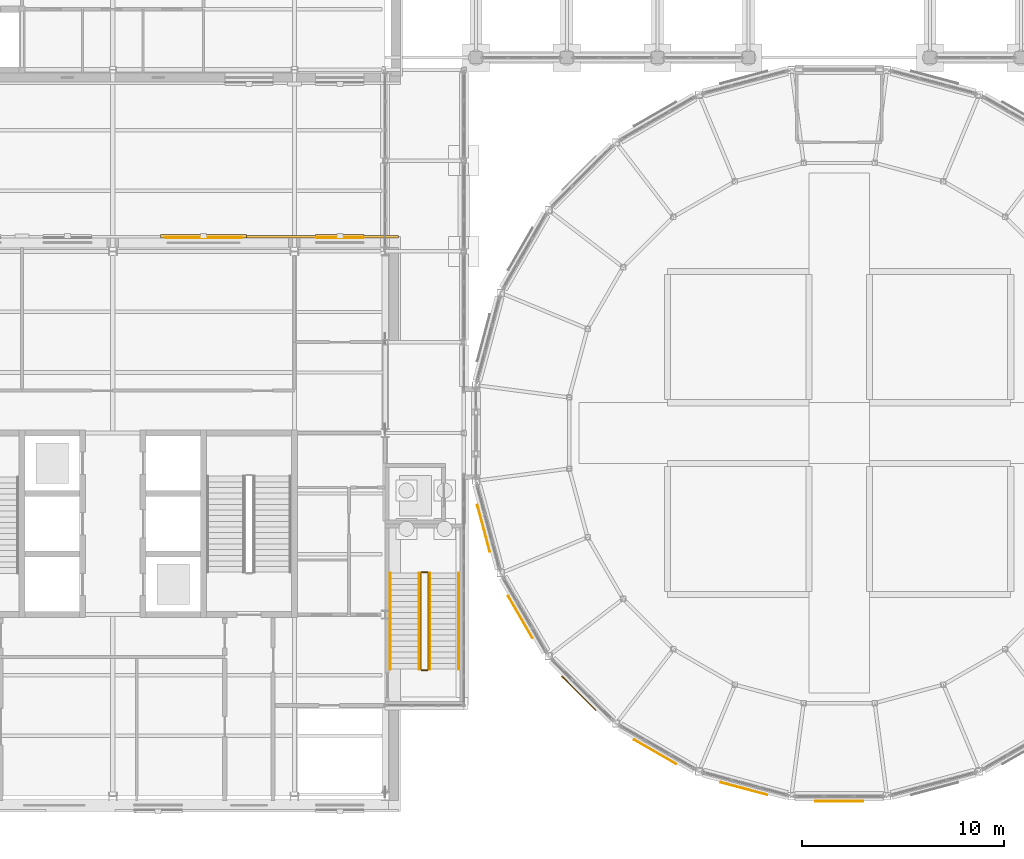
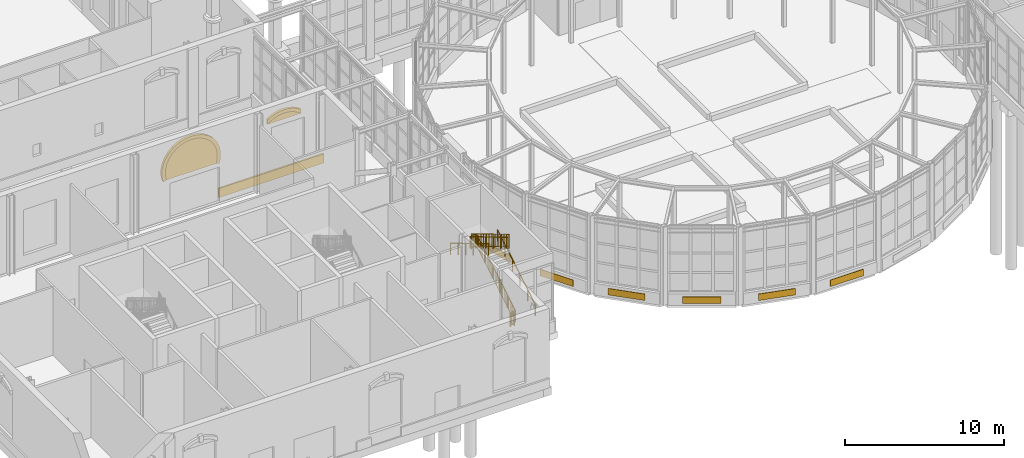
# One storey, part 92 of 106: 11 coverings, 8 railings.
"""IFC4 building model written with IfcOpenShell, lengths in metres."""

from ifc_helpers import new_model, si_unit, direction, frame, origin, origin_2d, place, context, subcontext, project, spatial, polyline, rectangle, circle, outline, extrude, material, layer, layer_set, type_object, element, save


model = new_model("IFC4")

# Units and contexts
model_context = context("Model", 3, precision=1e-05, world=origin(), true_north=direction((0.0, 1.0)))
body_context = subcontext(model_context, "Body", "Model", "MODEL_VIEW")
ifc_project = project(units=[si_unit("LENGTHUNIT", "METRE"), si_unit("AREAUNIT", "SQUARE_METRE"), si_unit("VOLUMEUNIT", "CUBIC_METRE"), si_unit("PLANEANGLEUNIT", "RADIAN"), si_unit("MASSUNIT", "GRAM", prefix="KILO")], contexts=[model_context])

# Site, building, storey
site_placement = place(None, origin())
site = spatial("IfcSite", under=ifc_project, at=site_placement, CompositionType="ELEMENT")
building_placement = place(site_placement, origin())
building = spatial("IfcBuilding", under=site, at=building_placement, Name="Hortulan Conservatory and Botanical Research Centre", CompositionType="ELEMENT")
storey_placement = place(building_placement, origin())
storey = spatial("IfcBuildingStorey", under=building, at=storey_placement, Name="L00", CompositionType="ELEMENT", Elevation=0.0)

# Coverings
ifc_material_1 = material(Name="Sandstone masonry (Hawkesbury yellow block)", Category="masonry")
ifc_layer_1 = layer(ifc_material_1, 0.1201171875)
ifc_layer_set_1 = layer_set([ifc_layer_1], Name="Rusticated Sandstone Base Course 700x120")
covering_type_1 = type_object("IfcCoveringType", Name="Rusticated Sandstone Base Course 700x120", PredefinedType="CLADDING", material=ifc_layer_set_1)
covering_1_placement = place(storey_placement, frame((28.324951171875, 27.720947265625, 0.0), z_axis=(0.0, 0.0, 1.0), x_axis=(1.0, 0.0, 0.0)))
element("IfcCovering", 1, at=covering_1_placement, inside=storey, type_object=covering_type_1, Name="String course", PredefinedType="CLADDING", context=body_context, shape_type="SweptSolid", body=[
    extrude(rectangle(XDim=7.64990234375, YDim=0.1201171875, at=origin_2d()), origin(), (0.0, 0.0, 1.0), 0.699951171875),
])
ifc_layer_2 = layer(ifc_material_1, 0.179931640625)
ifc_layer_set_2 = layer_set([ifc_layer_2], Name="Sandstone Arch Band 250")
covering_type_2 = type_object("IfcCoveringType", Name="Sandstone Arch Band 250", PredefinedType="CLADDING", material=ifc_layer_set_2)
covering_2_placement = place(storey_placement, frame((28.050048828125, 27.7509765625, 4.39990234375), z_axis=(0.0, 0.0, 1.0), x_axis=(1.0, 0.0, 0.0)))
element("IfcCovering", 2, at=covering_2_placement, inside=storey, type_object=covering_type_2, Name="Arched window head", PredefinedType="CLADDING", context=body_context, shape_type="SweptSolid", body=[
    extrude(outline(polyline([(0.0, 0.0), (0.239990234375, 0.17724609375), (0.47998046875, 0.302001953125), (0.719970703125, 0.3857421875), (0.9599609375, 0.434326171875), (1.199951171875, 0.4501953125), (1.43994140625, 0.434326171875), (1.679931640625, 0.3857421875), (1.919921875, 0.302001953125), (2.159912109375, 0.17724609375), (2.39990234375, 0.0), (2.39990234375, 0.31787109375), (2.159912109375, 0.464599609375), (1.919921875, 0.5712890625), (1.679931640625, 0.643798828125), (1.43994140625, 0.686279296875), (1.199951171875, 0.7001953125), (0.9599609375, 0.686279296875), (0.719970703125, 0.643798828125), (0.47998046875, 0.5712890625), (0.239990234375, 0.464599609375), (0.0, 0.31787109375), (0.0, 0.0)])), frame((0.0, 0.08984375, 0.0), z_axis=(0.0, -1.0, 0.0), x_axis=(1.0, 0.0, 0.0)), (0.0, 0.0, 1.0), 0.179931640625),
])
ifc_layer_3 = layer(ifc_material_1, 0.179931640625)
ifc_layer_set_3 = layer_set([ifc_layer_3], Name="Sandstone Horseshoe Band 250")
covering_type_3 = type_object("IfcCoveringType", Name="Sandstone Horseshoe Band 250", PredefinedType="CLADDING", material=ifc_layer_set_3)
covering_3_placement = place(storey_placement, frame((20.357421875, 27.7509765625, 2.622802734375), z_axis=(0.0, 0.0, 1.0), x_axis=(1.0, 0.0, 0.0)))
element("IfcCovering", 3, at=covering_3_placement, inside=storey, type_object=covering_type_3, Name="Horseshoe entrance head", PredefinedType="CLADDING", context=body_context, shape_type="SweptSolid", body=[
    extrude(outline(polyline([(0.342529296875, 0.0771484375), (0.260498046875, 0.464111328125), (0.260498046875, 0.85986328125), (0.342529296875, 1.246826171875), (0.503662109375, 1.6083984375), (0.736083984375, 1.928466796875), (1.0302734375, 2.193115234375), (1.372802734375, 2.39111328125), (1.7490234375, 2.51318359375), (2.142578125, 2.5546875), (2.5361328125, 2.51318359375), (2.912353515625, 2.39111328125), (3.255126953125, 2.193115234375), (3.549072265625, 1.928466796875), (3.78173828125, 1.6083984375), (3.942626953125, 1.246826171875), (4.02490234375, 0.85986328125), (4.02490234375, 0.464111328125), (3.942626953125, 0.0771484375), (4.180419921875, 0.0), (4.2734375, 0.43798828125), (4.2734375, 0.885986328125), (4.180419921875, 1.32421875), (3.998291015625, 1.7333984375), (3.73486328125, 2.095703125), (3.402099609375, 2.3955078125), (3.01416015625, 2.619384765625), (2.588134765625, 2.7578125), (2.142578125, 2.8046875), (1.697265625, 2.7578125), (1.27099609375, 2.619384765625), (0.88330078125, 2.3955078125), (0.55029296875, 2.095703125), (0.287109375, 1.7333984375), (0.10498046875, 1.32421875), (0.01171875, 0.885986328125), (0.01171875, 0.43798828125), (0.10498046875, 0.0), (0.342529296875, 0.0771484375)])), frame((0.0, 0.08984375, 0.0), z_axis=(0.0, -1.0, 0.0), x_axis=(1.0, 0.0, 0.0)), (0.0, 0.0, 1.0), 0.179931640625),
])
ifc_layer_4 = layer(ifc_material_1, 0.0400390625)
ifc_layer_set_4 = layer_set([ifc_layer_4], Name="Sandstone Relief Panel 40")
covering_type_4 = type_object("IfcCoveringType", Name="Sandstone Relief Panel 40", PredefinedType="CLADDING", material=ifc_layer_set_4)
for number, where, z_axis, x_axis, name in (
    (4, (36.376708984375, 13.277587890625, 0.199951171875), (0.0, 0.0, 1.0), (-0.258822416818, 0.965924922834, 0.0), "Relief panel"),
    (5, (38.19921875, 8.87744140625, 0.199951171875), (0.0, 0.0, 1.0), (-0.499981861897, 0.86603587557, 0.0), "Relief panel"),
    (6, (41.098876953125, 5.098876953125, 0.199951171875), (0.0, 0.0, 1.0), (-0.707106781187, 0.707106781187, 0.0), "Relief panel"),
    (7, (44.87744140625, 2.19921875, 0.199951171875), (0.0, 0.0, 1.0), (-0.86603587557, 0.499981861897, 0.0), "Relief panel"),
    (8, (49.277587890625, 0.376708984375, 0.199951171875), (0.0, 0.0, 1.0), (-0.965924922834, 0.258822416818, 0.0), "Relief panel"),
    (9, (54.0, -0.2451171875, 0.199951171875), (0.0, 0.0, 1.0), (-1.0, 0.0, 0.0), "Relief panel"),
):
    element("IfcCovering", number, at=place(storey_placement, frame(where, z_axis=z_axis, x_axis=x_axis)), inside=storey, type_object=covering_type_4, Name=name, PredefinedType="CLADDING", context=body_context, shape_type="SweptSolid", body=[
        extrude(rectangle(XDim=2.39990234375, YDim=0.0400390625, at=origin_2d()), origin(), (0.0, 0.0, 1.0), 0.5),
    ])

# Railings
ifc_material_2 = material(Name="Steel balustrade, bronze-charcoal paint", Category="steel")
railing_type_1 = type_object("IfcRailingType", Name="Stair Guard 1100", PredefinedType="GUARDRAIL", material=ifc_material_2)
railing_1_placement = place(storey_placement, frame((33.64990234375, 6.300048828125, 0.166748046875)))
element("IfcRailing", 10, at=railing_1_placement, inside=storey, type_object=railing_type_1, Name="Guard SHW L00 stair 1", PredefinedType="GUARDRAIL", context=body_context, shape_type="SweptSolid", body=[
    extrude(circle(Radius=0.02392578125, at=origin_2d()), frame((0.0, 0.0, 1.076171875), z_axis=(0.0, 0.859299802514, 0.511472237174), x_axis=(-1.0, 0.0, 0.0)), (0.0, 0.0, 1.0), 5.539306640625),
    extrude(circle(Radius=0.02392578125, at=origin_2d()), frame((0.0, 0.0, 0.1240234375), z_axis=(0.0, 0.859299802514, 0.511472237174), x_axis=(-1.0, 0.0, 0.0)), (0.0, 0.0, 1.0), 5.539306640625),
    extrude(circle(Radius=0.008056640625, at=origin_2d()), frame((0.0, 0.09326171875, 0.203857421875)), (0.0, 0.0, 1.0), 0.90380859375),
    extrude(circle(Radius=0.008056640625, at=origin_2d()), frame((0.0, 0.186767578125, 0.25927734375)), (0.0, 0.0, 1.0), 0.90380859375),
    extrude(circle(Radius=0.008056640625, at=origin_2d()), frame((0.0, 0.280029296875, 0.31494140625)), (0.0, 0.0, 1.0), 0.90380859375),
    extrude(circle(Radius=0.008056640625, at=origin_2d()), frame((0.0, 0.373291015625, 0.370361328125)), (0.0, 0.0, 1.0), 0.90380859375),
    extrude(circle(Radius=0.008056640625, at=origin_2d()), frame((0.0, 0.466552734375, 0.426025390625)), (0.0, 0.0, 1.0), 0.90380859375),
    extrude(circle(Radius=0.008056640625, at=origin_2d()), frame((0.0, 0.56005859375, 0.4814453125)), (0.0, 0.0, 1.0), 0.90380859375),
    extrude(circle(Radius=0.008056640625, at=origin_2d()), frame((0.0, 0.6533203125, 0.537109375)), (0.0, 0.0, 1.0), 0.90380859375),
    extrude(circle(Radius=0.008056640625, at=origin_2d()), frame((0.0, 0.74658203125, 0.592529296875)), (0.0, 0.0, 1.0), 0.90380859375),
    extrude(circle(Radius=0.008056640625, at=origin_2d()), frame((0.0, 0.840087890625, 0.648193359375)), (0.0, 0.0, 1.0), 0.90380859375),
    extrude(circle(Radius=0.008056640625, at=origin_2d()), frame((0.0, 0.933349609375, 0.70361328125)), (0.0, 0.0, 1.0), 0.90380859375),
    extrude(circle(Radius=0.008056640625, at=origin_2d()), frame((0.0, 1.026611328125, 0.75927734375)), (0.0, 0.0, 1.0), 0.90380859375),
    extrude(circle(Radius=0.008056640625, at=origin_2d()), frame((0.0, 1.1201171875, 0.81494140625)), (0.0, 0.0, 1.0), 0.90380859375),
    extrude(circle(Radius=0.008056640625, at=origin_2d()), frame((0.0, 1.21337890625, 0.870361328125)), (0.0, 0.0, 1.0), 0.90380859375),
    extrude(circle(Radius=0.008056640625, at=origin_2d()), frame((0.0, 1.306640625, 0.926025390625)), (0.0, 0.0, 1.0), 0.90380859375),
    extrude(circle(Radius=0.008056640625, at=origin_2d()), frame((0.0, 1.39990234375, 0.9814453125)), (0.0, 0.0, 1.0), 0.90380859375),
    extrude(circle(Radius=0.008056640625, at=origin_2d()), frame((0.0, 1.493408203125, 1.037109375)), (0.0, 0.0, 1.0), 0.90380859375),
    extrude(circle(Radius=0.008056640625, at=origin_2d()), frame((0.0, 1.586669921875, 1.092529296875)), (0.0, 0.0, 1.0), 0.90380859375),
    extrude(circle(Radius=0.008056640625, at=origin_2d()), frame((0.0, 1.679931640625, 1.148193359375)), (0.0, 0.0, 1.0), 0.90380859375),
    extrude(circle(Radius=0.008056640625, at=origin_2d()), frame((0.0, 1.7734375, 1.20361328125)), (0.0, 0.0, 1.0), 0.90380859375),
    extrude(circle(Radius=0.008056640625, at=origin_2d()), frame((0.0, 1.86669921875, 1.25927734375)), (0.0, 0.0, 1.0), 0.90380859375),
    extrude(circle(Radius=0.008056640625, at=origin_2d()), frame((0.0, 1.9599609375, 1.31494140625)), (0.0, 0.0, 1.0), 0.90380859375),
    extrude(circle(Radius=0.008056640625, at=origin_2d()), frame((0.0, 2.05322265625, 1.370361328125)), (0.0, 0.0, 1.0), 0.90380859375),
    extrude(circle(Radius=0.008056640625, at=origin_2d()), frame((0.0, 2.146728515625, 1.426025390625)), (0.0, 0.0, 1.0), 0.90380859375),
    extrude(circle(Radius=0.008056640625, at=origin_2d()), frame((0.0, 2.239990234375, 1.4814453125)), (0.0, 0.0, 1.0), 0.90380859375),
    extrude(circle(Radius=0.008056640625, at=origin_2d()), frame((0.0, 2.333251953125, 1.537109375)), (0.0, 0.0, 1.0), 0.90380859375),
    extrude(circle(Radius=0.008056640625, at=origin_2d()), frame((0.0, 2.4267578125, 1.592529296875)), (0.0, 0.0, 1.0), 0.90380859375),
    extrude(circle(Radius=0.008056640625, at=origin_2d()), frame((0.0, 2.52001953125, 1.648193359375)), (0.0, 0.0, 1.0), 0.90380859375),
    extrude(circle(Radius=0.008056640625, at=origin_2d()), frame((0.0, 2.61328125, 1.70361328125)), (0.0, 0.0, 1.0), 0.90380859375),
    extrude(circle(Radius=0.008056640625, at=origin_2d()), frame((0.0, 2.706787109375, 1.75927734375)), (0.0, 0.0, 1.0), 0.90380859375),
    extrude(circle(Radius=0.008056640625, at=origin_2d()), frame((0.0, 2.800048828125, 1.814697265625)), (0.0, 0.0, 1.0), 0.90380859375),
    extrude(circle(Radius=0.008056640625, at=origin_2d()), frame((0.0, 2.893310546875, 1.870361328125)), (0.0, 0.0, 1.0), 0.90380859375),
    extrude(circle(Radius=0.008056640625, at=origin_2d()), frame((0.0, 2.986572265625, 1.926025390625)), (0.0, 0.0, 1.0), 0.90380859375),
    extrude(circle(Radius=0.008056640625, at=origin_2d()), frame((0.0, 3.080078125, 1.9814453125)), (0.0, 0.0, 1.0), 0.90380859375),
    extrude(circle(Radius=0.008056640625, at=origin_2d()), frame((0.0, 3.17333984375, 2.037109375)), (0.0, 0.0, 1.0), 0.90380859375),
    extrude(circle(Radius=0.008056640625, at=origin_2d()), frame((0.0, 3.2666015625, 2.092529296875)), (0.0, 0.0, 1.0), 0.90380859375),
    extrude(circle(Radius=0.008056640625, at=origin_2d()), frame((0.0, 3.360107421875, 2.148193359375)), (0.0, 0.0, 1.0), 0.90380859375),
    extrude(circle(Radius=0.008056640625, at=origin_2d()), frame((0.0, 3.453369140625, 2.20361328125)), (0.0, 0.0, 1.0), 0.90380859375),
    extrude(circle(Radius=0.008056640625, at=origin_2d()), frame((0.0, 3.546630859375, 2.25927734375)), (0.0, 0.0, 1.0), 0.90380859375),
    extrude(circle(Radius=0.008056640625, at=origin_2d()), frame((0.0, 3.639892578125, 2.314697265625)), (0.0, 0.0, 1.0), 0.90380859375),
    extrude(circle(Radius=0.008056640625, at=origin_2d()), frame((0.0, 3.7333984375, 2.370361328125)), (0.0, 0.0, 1.0), 0.90380859375),
    extrude(circle(Radius=0.008056640625, at=origin_2d()), frame((0.0, 3.82666015625, 2.426025390625)), (0.0, 0.0, 1.0), 0.90380859375),
    extrude(circle(Radius=0.008056640625, at=origin_2d()), frame((0.0, 3.919921875, 2.4814453125)), (0.0, 0.0, 1.0), 0.90380859375),
    extrude(circle(Radius=0.008056640625, at=origin_2d()), frame((0.0, 4.013427734375, 2.537109375)), (0.0, 0.0, 1.0), 0.90380859375),
    extrude(circle(Radius=0.008056640625, at=origin_2d()), frame((0.0, 4.106689453125, 2.592529296875)), (0.0, 0.0, 1.0), 0.90380859375),
    extrude(circle(Radius=0.008056640625, at=origin_2d()), frame((0.0, 4.199951171875, 2.648193359375)), (0.0, 0.0, 1.0), 0.90380859375),
    extrude(circle(Radius=0.008056640625, at=origin_2d()), frame((0.0, 4.29345703125, 2.70361328125)), (0.0, 0.0, 1.0), 0.90380859375),
    extrude(circle(Radius=0.008056640625, at=origin_2d()), frame((0.0, 4.38671875, 2.75927734375)), (0.0, 0.0, 1.0), 0.90380859375),
    extrude(circle(Radius=0.008056640625, at=origin_2d()), frame((0.0, 4.47998046875, 2.814697265625)), (0.0, 0.0, 1.0), 0.90380859375),
    extrude(circle(Radius=0.008056640625, at=origin_2d()), frame((0.0, 4.5732421875, 2.870361328125)), (0.0, 0.0, 1.0), 0.90380859375),
    extrude(circle(Radius=0.008056640625, at=origin_2d()), frame((0.0, 4.666748046875, 2.92578125)), (0.0, 0.0, 1.0), 0.90380859375),
    extrude(circle(Radius=0.02099609375, at=origin_2d()), origin(), (0.0, 0.0, 1.0), 1.052001953125),
    extrude(circle(Radius=0.02099609375, at=origin_2d()), frame((0.0, 0.951904296875, 0.566650390625)), (0.0, 0.0, 1.0), 1.052001953125),
    extrude(circle(Radius=0.02099609375, at=origin_2d()), frame((0.0, 1.904052734375, 1.13330078125)), (0.0, 0.0, 1.0), 1.052001953125),
    extrude(circle(Radius=0.02099609375, at=origin_2d()), frame((0.0, 2.85595703125, 1.699951171875)), (0.0, 0.0, 1.0), 1.052001953125),
    extrude(circle(Radius=0.02099609375, at=origin_2d()), frame((0.0, 3.80810546875, 2.2666015625)), (0.0, 0.0, 1.0), 1.052001953125),
    extrude(circle(Radius=0.02099609375, at=origin_2d()), frame((0.0, 4.760009765625, 2.833251953125)), (0.0, 0.0, 1.0), 1.052001953125),
])
railing_2_placement = place(storey_placement, frame((33.60009765625, 11.110107421875, 3.0)))
element("IfcRailing", 11, at=railing_2_placement, inside=storey, type_object=railing_type_1, Name="Guard SHW L00 stair 2", PredefinedType="GUARDRAIL", context=body_context, shape_type="SweptSolid", body=[
    extrude(circle(Radius=0.02392578125, at=origin_2d()), frame((0.0, 0.0, 1.076171875), z_axis=(-1.0, 0.0, 0.0), x_axis=(0.0, -1.0, 0.0)), (0.0, 0.0, 1.0), 0.300048828125),
    extrude(circle(Radius=0.02392578125, at=origin_2d()), frame((0.0, 0.0, 0.1240234375), z_axis=(-1.0, 0.0, 0.0), x_axis=(0.0, -1.0, 0.0)), (0.0, 0.0, 1.0), 0.300048828125),
    extrude(circle(Radius=0.008056640625, at=origin_2d()), frame((-0.10009765625, 0.0, 0.148193359375)), (0.0, 0.0, 1.0), 0.90380859375),
    extrude(circle(Radius=0.008056640625, at=origin_2d()), frame((-0.199951171875, 0.0, 0.148193359375)), (0.0, 0.0, 1.0), 0.90380859375),
    extrude(circle(Radius=0.02099609375, at=origin_2d()), origin(), (0.0, 0.0, 1.0), 1.052001953125),
    extrude(circle(Radius=0.02099609375, at=origin_2d()), frame((-0.300048828125, 0.0, 0.0)), (0.0, 0.0, 1.0), 1.052001953125),
])
railing_3_placement = place(storey_placement, frame((33.25, 11.06005859375, 3.166748046875)))
element("IfcRailing", 12, at=railing_3_placement, inside=storey, type_object=railing_type_1, Name="Guard SHW L00 stair 3", PredefinedType="GUARDRAIL", context=body_context, shape_type="SweptSolid", body=[
    extrude(circle(Radius=0.02392578125, at=origin_2d()), frame((0.0, 0.0, 1.076171875), z_axis=(0.0, -0.859299802514, 0.511472237174), x_axis=(1.0, 0.0, 0.0)), (0.0, 0.0, 1.0), 5.539306640625),
    extrude(circle(Radius=0.02392578125, at=origin_2d()), frame((0.0, 0.0, 0.1240234375), z_axis=(0.0, -0.859299802514, 0.511472237174), x_axis=(1.0, 0.0, 0.0)), (0.0, 0.0, 1.0), 5.539306640625),
    extrude(circle(Radius=0.008056640625, at=origin_2d()), frame((0.0, -0.09326171875, 0.203857421875)), (0.0, 0.0, 1.0), 0.90380859375),
    extrude(circle(Radius=0.008056640625, at=origin_2d()), frame((0.0, -0.186767578125, 0.25927734375)), (0.0, 0.0, 1.0), 0.90380859375),
    extrude(circle(Radius=0.008056640625, at=origin_2d()), frame((0.0, -0.280029296875, 0.31494140625)), (0.0, 0.0, 1.0), 0.90380859375),
    extrude(circle(Radius=0.008056640625, at=origin_2d()), frame((0.0, -0.373291015625, 0.370361328125)), (0.0, 0.0, 1.0), 0.90380859375),
    extrude(circle(Radius=0.008056640625, at=origin_2d()), frame((0.0, -0.466552734375, 0.426025390625)), (0.0, 0.0, 1.0), 0.90380859375),
    extrude(circle(Radius=0.008056640625, at=origin_2d()), frame((0.0, -0.56005859375, 0.4814453125)), (0.0, 0.0, 1.0), 0.90380859375),
    extrude(circle(Radius=0.008056640625, at=origin_2d()), frame((0.0, -0.6533203125, 0.537109375)), (0.0, 0.0, 1.0), 0.90380859375),
    extrude(circle(Radius=0.008056640625, at=origin_2d()), frame((0.0, -0.74658203125, 0.592529296875)), (0.0, 0.0, 1.0), 0.90380859375),
    extrude(circle(Radius=0.008056640625, at=origin_2d()), frame((0.0, -0.840087890625, 0.648193359375)), (0.0, 0.0, 1.0), 0.90380859375),
    extrude(circle(Radius=0.008056640625, at=origin_2d()), frame((0.0, -0.933349609375, 0.70361328125)), (0.0, 0.0, 1.0), 0.90380859375),
    extrude(circle(Radius=0.008056640625, at=origin_2d()), frame((0.0, -1.026611328125, 0.75927734375)), (0.0, 0.0, 1.0), 0.90380859375),
    extrude(circle(Radius=0.008056640625, at=origin_2d()), frame((0.0, -1.1201171875, 0.81494140625)), (0.0, 0.0, 1.0), 0.90380859375),
    extrude(circle(Radius=0.008056640625, at=origin_2d()), frame((0.0, -1.21337890625, 0.870361328125)), (0.0, 0.0, 1.0), 0.90380859375),
    extrude(circle(Radius=0.008056640625, at=origin_2d()), frame((0.0, -1.306640625, 0.926025390625)), (0.0, 0.0, 1.0), 0.90380859375),
    extrude(circle(Radius=0.008056640625, at=origin_2d()), frame((0.0, -1.39990234375, 0.9814453125)), (0.0, 0.0, 1.0), 0.90380859375),
    extrude(circle(Radius=0.008056640625, at=origin_2d()), frame((0.0, -1.493408203125, 1.037109375)), (0.0, 0.0, 1.0), 0.90380859375),
    extrude(circle(Radius=0.008056640625, at=origin_2d()), frame((0.0, -1.586669921875, 1.092529296875)), (0.0, 0.0, 1.0), 0.90380859375),
    extrude(circle(Radius=0.008056640625, at=origin_2d()), frame((0.0, -1.679931640625, 1.148193359375)), (0.0, 0.0, 1.0), 0.90380859375),
    extrude(circle(Radius=0.008056640625, at=origin_2d()), frame((0.0, -1.7734375, 1.20361328125)), (0.0, 0.0, 1.0), 0.90380859375),
    extrude(circle(Radius=0.008056640625, at=origin_2d()), frame((0.0, -1.86669921875, 1.25927734375)), (0.0, 0.0, 1.0), 0.90380859375),
    extrude(circle(Radius=0.008056640625, at=origin_2d()), frame((0.0, -1.9599609375, 1.31494140625)), (0.0, 0.0, 1.0), 0.90380859375),
    extrude(circle(Radius=0.008056640625, at=origin_2d()), frame((0.0, -2.05322265625, 1.370361328125)), (0.0, 0.0, 1.0), 0.90380859375),
    extrude(circle(Radius=0.008056640625, at=origin_2d()), frame((0.0, -2.146728515625, 1.426025390625)), (0.0, 0.0, 1.0), 0.90380859375),
    extrude(circle(Radius=0.008056640625, at=origin_2d()), frame((0.0, -2.239990234375, 1.4814453125)), (0.0, 0.0, 1.0), 0.90380859375),
    extrude(circle(Radius=0.008056640625, at=origin_2d()), frame((0.0, -2.333251953125, 1.537109375)), (0.0, 0.0, 1.0), 0.90380859375),
    extrude(circle(Radius=0.008056640625, at=origin_2d()), frame((0.0, -2.4267578125, 1.592529296875)), (0.0, 0.0, 1.0), 0.90380859375),
    extrude(circle(Radius=0.008056640625, at=origin_2d()), frame((0.0, -2.52001953125, 1.648193359375)), (0.0, 0.0, 1.0), 0.90380859375),
    extrude(circle(Radius=0.008056640625, at=origin_2d()), frame((0.0, -2.61328125, 1.70361328125)), (0.0, 0.0, 1.0), 0.90380859375),
    extrude(circle(Radius=0.008056640625, at=origin_2d()), frame((0.0, -2.706787109375, 1.75927734375)), (0.0, 0.0, 1.0), 0.90380859375),
    extrude(circle(Radius=0.008056640625, at=origin_2d()), frame((0.0, -2.800048828125, 1.814697265625)), (0.0, 0.0, 1.0), 0.90380859375),
    extrude(circle(Radius=0.008056640625, at=origin_2d()), frame((0.0, -2.893310546875, 1.870361328125)), (0.0, 0.0, 1.0), 0.90380859375),
    extrude(circle(Radius=0.008056640625, at=origin_2d()), frame((0.0, -2.986572265625, 1.926025390625)), (0.0, 0.0, 1.0), 0.90380859375),
    extrude(circle(Radius=0.008056640625, at=origin_2d()), frame((0.0, -3.080078125, 1.9814453125)), (0.0, 0.0, 1.0), 0.90380859375),
    extrude(circle(Radius=0.008056640625, at=origin_2d()), frame((0.0, -3.17333984375, 2.037109375)), (0.0, 0.0, 1.0), 0.90380859375),
    extrude(circle(Radius=0.008056640625, at=origin_2d()), frame((0.0, -3.2666015625, 2.092529296875)), (0.0, 0.0, 1.0), 0.90380859375),
    extrude(circle(Radius=0.008056640625, at=origin_2d()), frame((0.0, -3.360107421875, 2.148193359375)), (0.0, 0.0, 1.0), 0.90380859375),
    extrude(circle(Radius=0.008056640625, at=origin_2d()), frame((0.0, -3.453369140625, 2.20361328125)), (0.0, 0.0, 1.0), 0.90380859375),
    extrude(circle(Radius=0.008056640625, at=origin_2d()), frame((0.0, -3.546630859375, 2.25927734375)), (0.0, 0.0, 1.0), 0.90380859375),
    extrude(circle(Radius=0.008056640625, at=origin_2d()), frame((0.0, -3.639892578125, 2.314697265625)), (0.0, 0.0, 1.0), 0.90380859375),
    extrude(circle(Radius=0.008056640625, at=origin_2d()), frame((0.0, -3.7333984375, 2.370361328125)), (0.0, 0.0, 1.0), 0.90380859375),
    extrude(circle(Radius=0.008056640625, at=origin_2d()), frame((0.0, -3.82666015625, 2.426025390625)), (0.0, 0.0, 1.0), 0.90380859375),
    extrude(circle(Radius=0.008056640625, at=origin_2d()), frame((0.0, -3.919921875, 2.4814453125)), (0.0, 0.0, 1.0), 0.90380859375),
    extrude(circle(Radius=0.008056640625, at=origin_2d()), frame((0.0, -4.013427734375, 2.537109375)), (0.0, 0.0, 1.0), 0.90380859375),
    extrude(circle(Radius=0.008056640625, at=origin_2d()), frame((0.0, -4.106689453125, 2.592529296875)), (0.0, 0.0, 1.0), 0.90380859375),
    extrude(circle(Radius=0.008056640625, at=origin_2d()), frame((0.0, -4.199951171875, 2.648193359375)), (0.0, 0.0, 1.0), 0.90380859375),
    extrude(circle(Radius=0.008056640625, at=origin_2d()), frame((0.0, -4.29345703125, 2.70361328125)), (0.0, 0.0, 1.0), 0.90380859375),
    extrude(circle(Radius=0.008056640625, at=origin_2d()), frame((0.0, -4.38671875, 2.75927734375)), (0.0, 0.0, 1.0), 0.90380859375),
    extrude(circle(Radius=0.008056640625, at=origin_2d()), frame((0.0, -4.47998046875, 2.814697265625)), (0.0, 0.0, 1.0), 0.90380859375),
    extrude(circle(Radius=0.008056640625, at=origin_2d()), frame((0.0, -4.5732421875, 2.870361328125)), (0.0, 0.0, 1.0), 0.90380859375),
    extrude(circle(Radius=0.008056640625, at=origin_2d()), frame((0.0, -4.666748046875, 2.92578125)), (0.0, 0.0, 1.0), 0.90380859375),
    extrude(circle(Radius=0.02099609375, at=origin_2d()), origin(), (0.0, 0.0, 1.0), 1.052001953125),
    extrude(circle(Radius=0.02099609375, at=origin_2d()), frame((0.0, -0.951904296875, 0.566650390625)), (0.0, 0.0, 1.0), 1.052001953125),
    extrude(circle(Radius=0.02099609375, at=origin_2d()), frame((0.0, -1.904052734375, 1.13330078125)), (0.0, 0.0, 1.0), 1.052001953125),
    extrude(circle(Radius=0.02099609375, at=origin_2d()), frame((0.0, -2.85595703125, 1.699951171875)), (0.0, 0.0, 1.0), 1.052001953125),
    extrude(circle(Radius=0.02099609375, at=origin_2d()), frame((0.0, -3.80810546875, 2.2666015625)), (0.0, 0.0, 1.0), 1.052001953125),
    extrude(circle(Radius=0.02099609375, at=origin_2d()), frame((0.0, -4.760009765625, 2.833251953125)), (0.0, 0.0, 1.0), 1.052001953125),
])
railing_4_placement = place(storey_placement, frame((33.60009765625, 6.25, 0.0)))
element("IfcRailing", 13, at=railing_4_placement, inside=storey, type_object=railing_type_1, Name="Guard SHW L00 stair 4", PredefinedType="GUARDRAIL", context=body_context, shape_type="SweptSolid", body=[
    extrude(circle(Radius=0.02392578125, at=origin_2d()), frame((0.0, 0.0, 1.076171875), z_axis=(-1.0, 0.0, 0.0), x_axis=(0.0, -1.0, 0.0)), (0.0, 0.0, 1.0), 0.300048828125),
    extrude(circle(Radius=0.02392578125, at=origin_2d()), frame((0.0, 0.0, 0.1240234375), z_axis=(-1.0, 0.0, 0.0), x_axis=(0.0, -1.0, 0.0)), (0.0, 0.0, 1.0), 0.300048828125),
    extrude(circle(Radius=0.008056640625, at=origin_2d()), frame((-0.10009765625, 0.0, 0.148193359375)), (0.0, 0.0, 1.0), 0.90380859375),
    extrude(circle(Radius=0.008056640625, at=origin_2d()), frame((-0.199951171875, 0.0, 0.148193359375)), (0.0, 0.0, 1.0), 0.90380859375),
    extrude(circle(Radius=0.02099609375, at=origin_2d()), origin(), (0.0, 0.0, 1.0), 1.052001953125),
    extrude(circle(Radius=0.02099609375, at=origin_2d()), frame((-0.300048828125, 0.0, 0.0)), (0.0, 0.0, 1.0), 1.052001953125),
])
ifc_material_3 = material(Name="Bronze handrail, polished", Category="metal")
railing_type_2 = type_object("IfcRailingType", Name="Stair Handrail 900", PredefinedType="HANDRAIL", material=ifc_material_3)
railing_5_placement = place(storey_placement, frame((35.14990234375, 6.300048828125, 0.166748046875)))
element("IfcRailing", 14, at=railing_5_placement, inside=storey, type_object=railing_type_2, Name="Handrail SHW L00 stair 1", PredefinedType="HANDRAIL", context=body_context, shape_type="SweptSolid", body=[
    extrude(circle(Radius=0.02392578125, at=origin_2d()), frame((0.0, 0.0, 0.8759765625), z_axis=(0.0, 0.859299802514, 0.511472237174), x_axis=(-1.0, 0.0, 0.0)), (0.0, 0.0, 1.0), 5.539306640625),
    extrude(circle(Radius=0.02099609375, at=origin_2d()), origin(), (0.0, 0.0, 1.0), 0.851806640625),
    extrude(circle(Radius=0.02099609375, at=origin_2d()), frame((0.0, 0.951904296875, 0.566650390625)), (0.0, 0.0, 1.0), 0.851806640625),
    extrude(circle(Radius=0.02099609375, at=origin_2d()), frame((0.0, 1.904052734375, 1.13330078125)), (0.0, 0.0, 1.0), 0.851806640625),
    extrude(circle(Radius=0.02099609375, at=origin_2d()), frame((0.0, 2.85595703125, 1.699951171875)), (0.0, 0.0, 1.0), 0.851806640625),
    extrude(circle(Radius=0.02099609375, at=origin_2d()), frame((0.0, 3.80810546875, 2.2666015625)), (0.0, 0.0, 1.0), 0.851806640625),
    extrude(circle(Radius=0.02099609375, at=origin_2d()), frame((0.0, 4.760009765625, 2.833251953125)), (0.0, 0.0, 1.0), 0.851806640625),
])
railing_6_placement = place(storey_placement, frame((31.75, 11.06005859375, 3.166748046875)))
element("IfcRailing", 15, at=railing_6_placement, inside=storey, type_object=railing_type_2, Name="Handrail SHW L00 stair 2", PredefinedType="HANDRAIL", context=body_context, shape_type="SweptSolid", body=[
    extrude(circle(Radius=0.02392578125, at=origin_2d()), frame((0.0, 0.0, 0.8759765625), z_axis=(0.0, -0.859299802514, 0.511472237174), x_axis=(1.0, 0.0, 0.0)), (0.0, 0.0, 1.0), 5.539306640625),
    extrude(circle(Radius=0.02099609375, at=origin_2d()), origin(), (0.0, 0.0, 1.0), 0.851806640625),
    extrude(circle(Radius=0.02099609375, at=origin_2d()), frame((0.0, -0.951904296875, 0.566650390625)), (0.0, 0.0, 1.0), 0.851806640625),
    extrude(circle(Radius=0.02099609375, at=origin_2d()), frame((0.0, -1.904052734375, 1.13330078125)), (0.0, 0.0, 1.0), 0.851806640625),
    extrude(circle(Radius=0.02099609375, at=origin_2d()), frame((0.0, -2.85595703125, 1.699951171875)), (0.0, 0.0, 1.0), 0.851806640625),
    extrude(circle(Radius=0.02099609375, at=origin_2d()), frame((0.0, -3.80810546875, 2.2666015625)), (0.0, 0.0, 1.0), 0.851806640625),
    extrude(circle(Radius=0.02099609375, at=origin_2d()), frame((0.0, -4.760009765625, 2.833251953125)), (0.0, 0.0, 1.0), 0.851806640625),
])
railing_7_placement = place(storey_placement, frame((33.719970703125, 6.300048828125, 0.166748046875)))
element("IfcRailing", 16, at=railing_7_placement, inside=storey, type_object=railing_type_2, Name="Handrail SHW L00 stair 3", PredefinedType="HANDRAIL", context=body_context, shape_type="SweptSolid", body=[
    extrude(circle(Radius=0.02392578125, at=origin_2d()), frame((0.0, 0.0, 0.8759765625), z_axis=(0.0, 0.859299802514, 0.511472237174), x_axis=(-1.0, 0.0, 0.0)), (0.0, 0.0, 1.0), 5.539306640625),
    extrude(circle(Radius=0.02099609375, at=origin_2d()), origin(), (0.0, 0.0, 1.0), 0.851806640625),
    extrude(circle(Radius=0.02099609375, at=origin_2d()), frame((0.0, 0.951904296875, 0.566650390625)), (0.0, 0.0, 1.0), 0.851806640625),
    extrude(circle(Radius=0.02099609375, at=origin_2d()), frame((0.0, 1.904052734375, 1.13330078125)), (0.0, 0.0, 1.0), 0.851806640625),
    extrude(circle(Radius=0.02099609375, at=origin_2d()), frame((0.0, 2.85595703125, 1.699951171875)), (0.0, 0.0, 1.0), 0.851806640625),
    extrude(circle(Radius=0.02099609375, at=origin_2d()), frame((0.0, 3.80810546875, 2.2666015625)), (0.0, 0.0, 1.0), 0.851806640625),
    extrude(circle(Radius=0.02099609375, at=origin_2d()), frame((0.0, 4.760009765625, 2.833251953125)), (0.0, 0.0, 1.0), 0.851806640625),
])
railing_8_placement = place(storey_placement, frame((33.179931640625, 11.06005859375, 3.166748046875)))
element("IfcRailing", 17, at=railing_8_placement, inside=storey, type_object=railing_type_2, Name="Handrail SHW L00 stair 4", PredefinedType="HANDRAIL", context=body_context, shape_type="SweptSolid", body=[
    extrude(circle(Radius=0.02392578125, at=origin_2d()), frame((0.0, 0.0, 0.8759765625), z_axis=(0.0, -0.859299802514, 0.511472237174), x_axis=(1.0, 0.0, 0.0)), (0.0, 0.0, 1.0), 5.539306640625),
    extrude(circle(Radius=0.02099609375, at=origin_2d()), origin(), (0.0, 0.0, 1.0), 0.851806640625),
    extrude(circle(Radius=0.02099609375, at=origin_2d()), frame((0.0, -0.951904296875, 0.566650390625)), (0.0, 0.0, 1.0), 0.851806640625),
    extrude(circle(Radius=0.02099609375, at=origin_2d()), frame((0.0, -1.904052734375, 1.13330078125)), (0.0, 0.0, 1.0), 0.851806640625),
    extrude(circle(Radius=0.02099609375, at=origin_2d()), frame((0.0, -2.85595703125, 1.699951171875)), (0.0, 0.0, 1.0), 0.851806640625),
    extrude(circle(Radius=0.02099609375, at=origin_2d()), frame((0.0, -3.80810546875, 2.2666015625)), (0.0, 0.0, 1.0), 0.851806640625),
    extrude(circle(Radius=0.02099609375, at=origin_2d()), frame((0.0, -4.760009765625, 2.833251953125)), (0.0, 0.0, 1.0), 0.851806640625),
])

# Coverings
ifc_material_4 = material(Name="Faience cladding, harbour teal glaze (non-combustible)", Category="ceramic")
ifc_layer_5 = layer(ifc_material_4, 0.0400390625)
ifc_layer_set_5 = layer_set([ifc_layer_5], Name="Teal Faience Tympanum 40")
covering_type_5 = type_object("IfcCoveringType", Name="Teal Faience Tympanum 40", PredefinedType="CLADDING", material=ifc_layer_set_5)
covering_4_placement = place(storey_placement, frame((28.050048828125, 27.680908203125, 4.39990234375), z_axis=(0.0, 0.0, 1.0), x_axis=(1.0, 0.0, 0.0)))
element("IfcCovering", 18, at=covering_4_placement, inside=storey, type_object=covering_type_5, Name="Faience tympanum", PredefinedType="CLADDING", context=body_context, shape_type="SweptSolid", body=[
    extrude(outline(polyline([(0.0, 0.0), (0.239990234375, 0.17724609375), (0.47998046875, 0.302001953125), (0.719970703125, 0.3857421875), (0.9599609375, 0.434326171875), (1.199951171875, 0.4501953125), (1.43994140625, 0.434326171875), (1.679931640625, 0.3857421875), (1.919921875, 0.302001953125), (2.159912109375, 0.17724609375), (2.39990234375, 0.0), (2.39990234375, 0.0), (0.0, 0.0), (0.0, 0.0)])), frame((0.0, 0.02001953125, 0.0), z_axis=(0.0, -1.0, 0.0), x_axis=(1.0, 0.0, 0.0)), (0.0, 0.0, 1.0), 0.0400390625),
])
covering_5_placement = place(storey_placement, frame((20.357421875, 27.680908203125, 2.699951171875), z_axis=(0.0, 0.0, 1.0), x_axis=(1.0, 0.0, 0.0)))
element("IfcCovering", 19, at=covering_5_placement, inside=storey, type_object=covering_type_5, Name="Faience tympanum", PredefinedType="CLADDING", context=body_context, shape_type="SweptSolid", body=[
    extrude(outline(polyline([(0.342529296875, 0.0), (0.260498046875, 0.386962890625), (0.260498046875, 0.78271484375), (0.342529296875, 1.169677734375), (0.503662109375, 1.53125), (0.736083984375, 1.851318359375), (1.0302734375, 2.115966796875), (1.372802734375, 2.31396484375), (1.7490234375, 2.43603515625), (2.142578125, 2.4775390625), (2.5361328125, 2.43603515625), (2.912353515625, 2.31396484375), (3.255126953125, 2.115966796875), (3.549072265625, 1.851318359375), (3.78173828125, 1.53125), (3.942626953125, 1.169677734375), (4.02490234375, 0.78271484375), (4.02490234375, 0.386962890625), (3.942626953125, 0.0), (3.942626953125, 0.0), (0.342529296875, 0.0), (0.342529296875, 0.0)])), frame((0.0, 0.02001953125, 0.0), z_axis=(0.0, -1.0, 0.0), x_axis=(1.0, 0.0, 0.0)), (0.0, 0.0, 1.0), 0.0400390625),
])

save(model, "model.ifc")
